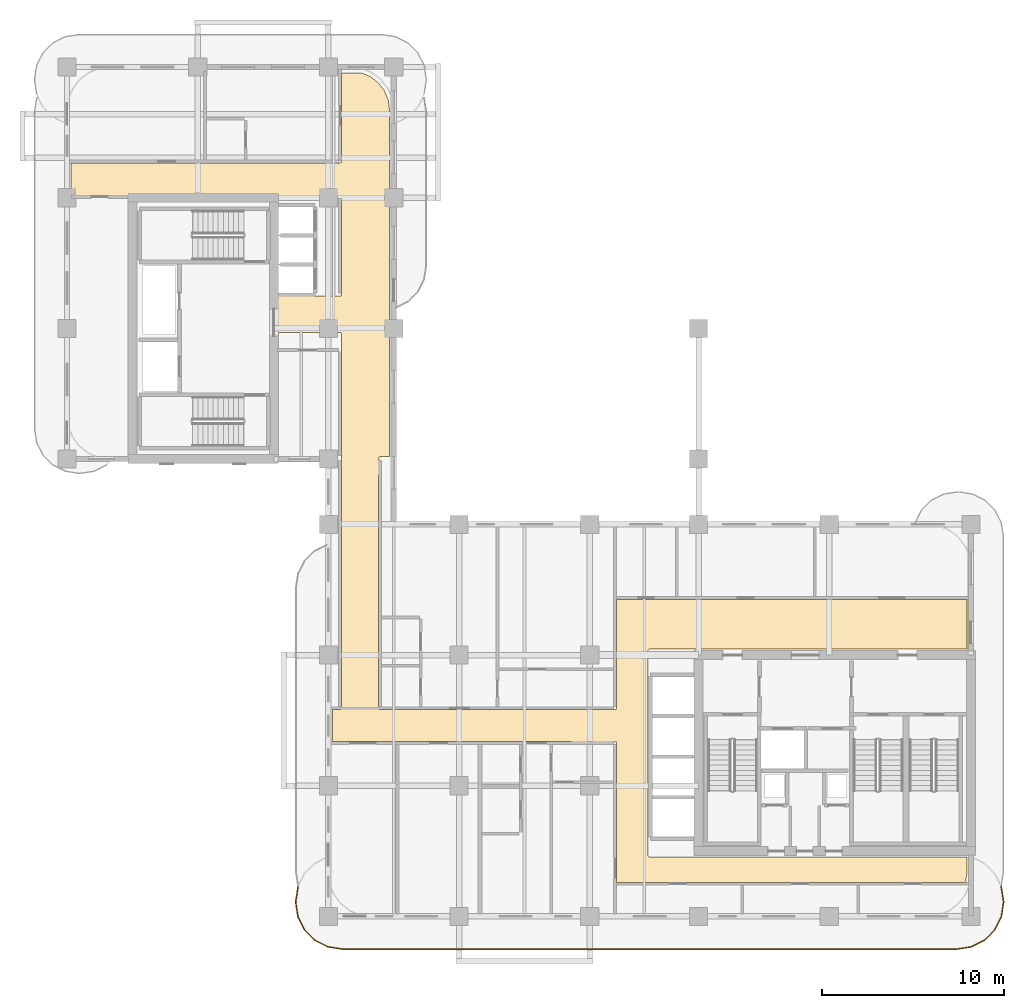
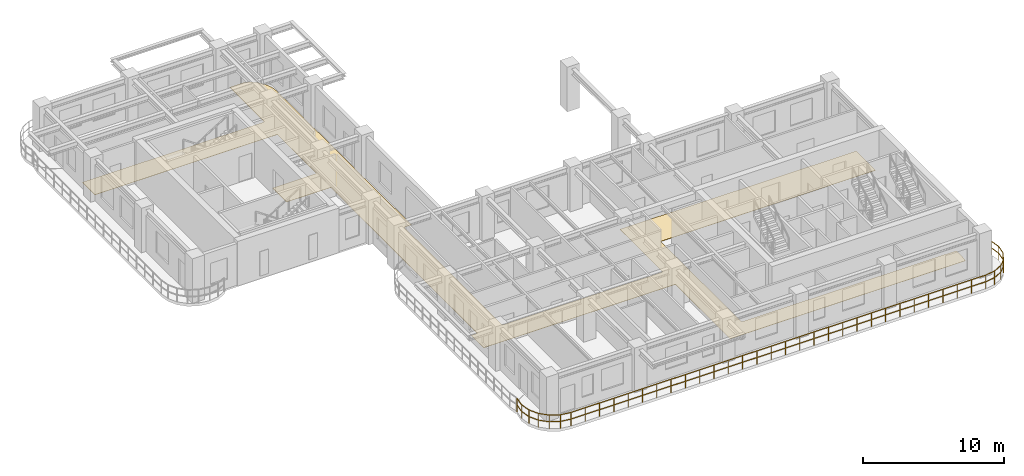
# One storey, part 11 of 14: 1 covering, 1 railing.
"""IFC4 building model written with IfcOpenShell, lengths in metres."""

from ifc_helpers import new_model, si_unit, derived_unit, direction, frame, origin, origin_2d, place, context, subcontext, project, spatial, polyline, rectangle, outline, extrude, material, layer, layer_set, type_object, element, save


model = new_model("IFC4")

# Units and contexts
model_context = context("Model", 3, precision=1e-05, world=origin(), true_north=direction((0.0, 1.0)))
body_context = subcontext(model_context, "Body", "Model", "MODEL_VIEW")
ifc_project = project(units=[si_unit("LENGTHUNIT", "METRE"), si_unit("AREAUNIT", "SQUARE_METRE"), si_unit("VOLUMEUNIT", "CUBIC_METRE"), si_unit("PLANEANGLEUNIT", "RADIAN"), si_unit("MASSUNIT", "GRAM", prefix="KILO"), si_unit("THERMODYNAMICTEMPERATUREUNIT", "KELVIN"), si_unit("POWERUNIT", "WATT"), derived_unit("THERMALTRANSMITTANCEUNIT", [(si_unit("POWERUNIT", "WATT"), 1), (si_unit("AREAUNIT", "SQUARE_METRE"), -1), (si_unit("THERMODYNAMICTEMPERATUREUNIT", "KELVIN"), -1)])], contexts=[model_context])

# Site, building, storey
site_placement = place(None, origin())
site = spatial("IfcSite", under=ifc_project, at=site_placement, CompositionType="ELEMENT")
building_placement = place(site_placement, origin())
building = spatial("IfcBuilding", under=site, at=building_placement, Name="Zahravan Archway Hotel and Residences", CompositionType="ELEMENT")
storey_placement = place(building_placement, frame((0.0, 0.0, 188.800048828125)))
storey = spatial("IfcBuildingStorey", under=building, at=storey_placement, Name="L47", CompositionType="ELEMENT", Elevation=188.800048828125)

# Covering
ifc_material_1 = material(Name="Engineered Walnut Parquet Flooring")
ifc_layer = layer(ifc_material_1, 0.02197265625, Name="Engineered Walnut Parquet Flooring")
ifc_layer_set = layer_set([ifc_layer], Name="Engineered Walnut Parquet Flooring")
covering_type = type_object("IfcCoveringType", Name="COV-FLR-TIMB", PredefinedType="FLOORING", material=ifc_layer_set)
covering_placement = place(storey_placement, origin())
element("IfcCovering", 1, at=covering_placement, inside=storey, type_object=covering_type, Name="L47 Circulation Floor Finish", PredefinedType="FLOORING", context=body_context, shape_type="SweptSolid", body=[
    extrude(outline(polyline([(32.09228515625, 14.7294921875), (32.04931640625, 14.7119140625), (32.0234375, 14.673095703125), (32.02001953125, 3.35009765625), (32.033447265625, 3.3056640625), (32.0693359375, 3.276123046875), (49.580078125, 3.27001953125), (49.580078125, 2.414306640625), (49.509521484375, 1.8798828125), (30.280029296875, 1.8798828125), (30.280029296875, 9.550048828125), (30.2666015625, 9.594482421875), (30.230712890625, 9.623779296875), (14.6201171875, 9.6298828125), (14.6201171875, 11.389892578125), (15.050048828125, 11.389892578125), (15.094482421875, 11.403564453125), (15.123779296875, 11.439453125), (15.1298828125, 32.10009765625), (15.116455078125, 32.144287109375), (15.08056640625, 32.173828125), (11.530029296875, 32.179931640625), (11.530029296875, 34.169921875), (15.050048828125, 34.169921875), (15.094482421875, 34.18359375), (15.123779296875, 34.219482421875), (15.1298828125, 39.64990234375), (15.116455078125, 39.6943359375), (15.08056640625, 39.723876953125), (0.22998046875, 39.72998046875), (0.22998046875, 41.52001953125), (15.050048828125, 41.52001953125), (15.094482421875, 41.533447265625), (15.123779296875, 41.5693359375), (15.1298828125, 46.469970703125), (16.24560546875, 46.469970703125), (16.689208984375, 46.286376953125), (17.14013671875, 45.940185546875), (17.486328125, 45.489013671875), (17.703857421875, 44.9638671875), (17.77001953125, 44.46142578125), (17.77001953125, 25.330078125), (17.25, 25.330078125), (17.20556640625, 25.31640625), (17.176025390625, 25.280517578125), (17.169921875, 11.469970703125), (17.18359375, 11.425537109375), (17.219482421875, 11.39599609375), (30.199951171875, 11.389892578125), (30.244384765625, 11.403564453125), (30.27392578125, 11.439453125), (30.280029296875, 17.469970703125), (49.580078125, 17.469970703125), (49.580078125, 14.72998046875), (32.10009765625, 14.72998046875), (32.09228515625, 14.7294921875)])), origin(), (0.0, 0.0, 1.0), 0.02197265625),
])

# Railing
ifc_material_2 = material(Name="Bronze & Laminated Glass Balustrade", Category="glass")
railing_type = type_object("IfcRailingType", Name="RL-BAL-1200", PredefinedType="BALUSTRADE", material=ifc_material_2)
railing_placement = place(storey_placement, frame((51.47509765625, 1.637939453125, 0.0)))
element("IfcRailing", 2, at=railing_placement, inside=storey, type_object=railing_type, Name="L47 Balustrade RL-SLB-BAL-L47-SA-1", PredefinedType="BALUSTRADE", context=body_context, shape_type="SweptSolid", body=[
    extrude(rectangle(XDim=0.048095703125, YDim=0.048095703125, at=origin_2d()), frame((0.0, 0.0, 1.17578125), z_axis=(0.156701202656, -0.987646056584, 0.0), x_axis=(0.987646056584, 0.156701202656, 0.0)), (0.0, 0.0, 1.0), 0.797607421875),
    extrude(rectangle(XDim=0.048095703125, YDim=0.048095703125, at=origin_2d()), frame((0.0, 0.0, 0.60009765625), z_axis=(0.156701202656, -0.987646056584, 0.0), x_axis=(0.987646056584, 0.156701202656, 0.0)), (0.0, 0.0, 1.0), 0.797607421875),
    extrude(rectangle(XDim=0.048095703125, YDim=0.048095703125, at=origin_2d()), frame((0.125, -0.787841796875, 1.17578125), z_axis=(0.0, -1.0, 0.0), x_axis=(1.0, 0.0, 0.0)), (0.0, 0.0, 1.0), 0.10009765625),
    extrude(rectangle(XDim=0.048095703125, YDim=0.048095703125, at=origin_2d()), frame((0.125, -0.787841796875, 0.60009765625), z_axis=(0.0, -1.0, 0.0), x_axis=(1.0, 0.0, 0.0)), (0.0, 0.0, 1.0), 0.10009765625),
    extrude(rectangle(XDim=0.048095703125, YDim=0.048095703125, at=origin_2d()), frame((0.125, -0.887939453125, 1.17578125), z_axis=(-0.156653849773, -0.98765356849, 0.0), x_axis=(0.98765356849, -0.156653849773, 0.0)), (0.0, 0.0, 1.0), 0.7978515625),
    extrude(rectangle(XDim=0.048095703125, YDim=0.048095703125, at=origin_2d()), frame((0.125, -0.887939453125, 0.60009765625), z_axis=(-0.156653849773, -0.98765356849, 0.0), x_axis=(0.98765356849, -0.156653849773, 0.0)), (0.0, 0.0, 1.0), 0.7978515625),
    extrude(rectangle(XDim=0.048095703125, YDim=0.048095703125, at=origin_2d()), frame((0.0, -1.676025390625, 1.17578125), z_axis=(-0.453934952053, -0.891034824967, 0.0), x_axis=(0.891034824967, -0.453934952053, 0.0)), (0.0, 0.0, 1.0), 0.797607421875),
    extrude(rectangle(XDim=0.048095703125, YDim=0.048095703125, at=origin_2d()), frame((0.0, -1.676025390625, 0.60009765625), z_axis=(-0.453934952053, -0.891034824967, 0.0), x_axis=(0.891034824967, -0.453934952053, 0.0)), (0.0, 0.0, 1.0), 0.797607421875),
    extrude(rectangle(XDim=0.048095703125, YDim=0.048095703125, at=origin_2d()), frame((-0.362060546875, -2.38671875, 1.17578125), z_axis=(-0.707106781187, -0.707106781187, 0.0), x_axis=(0.707106781187, -0.707106781187, 0.0)), (0.0, 0.0, 1.0), 0.7978515625),
    extrude(rectangle(XDim=0.048095703125, YDim=0.048095703125, at=origin_2d()), frame((-0.362060546875, -2.38671875, 0.60009765625), z_axis=(-0.707106781187, -0.707106781187, 0.0), x_axis=(0.707106781187, -0.707106781187, 0.0)), (0.0, 0.0, 1.0), 0.7978515625),
    extrude(rectangle(XDim=0.048095703125, YDim=0.048095703125, at=origin_2d()), frame((-0.92626953125, -2.950927734375, 1.17578125), z_axis=(-0.890974108706, -0.454054113091, 0.0), x_axis=(0.454054113091, -0.890974108706, 0.0)), (0.0, 0.0, 1.0), 0.7978515625),
    extrude(rectangle(XDim=0.048095703125, YDim=0.048095703125, at=origin_2d()), frame((-0.92626953125, -2.950927734375, 0.60009765625), z_axis=(-0.890974108706, -0.454054113091, 0.0), x_axis=(0.454054113091, -0.890974108706, 0.0)), (0.0, 0.0, 1.0), 0.7978515625),
    extrude(rectangle(XDim=0.048095703125, YDim=0.048095703125, at=origin_2d()), frame((-1.63720703125, -3.313232421875, 1.17578125), z_axis=(-0.987693380745, -0.156402639467, 0.0), x_axis=(0.156402639467, -0.987693380745, 0.0)), (0.0, 0.0, 1.0), 0.797607421875),
    extrude(rectangle(XDim=0.048095703125, YDim=0.048095703125, at=origin_2d()), frame((-1.63720703125, -3.313232421875, 0.60009765625), z_axis=(-0.987693380745, -0.156402639467, 0.0), x_axis=(0.156402639467, -0.987693380745, 0.0)), (0.0, 0.0, 1.0), 0.797607421875),
    extrude(rectangle(XDim=0.048095703125, YDim=0.048095703125, at=origin_2d()), frame((-2.425048828125, -3.43798828125, 1.17578125), z_axis=(-1.0, 0.0, 0.0), x_axis=(0.0, -1.0, 0.0)), (0.0, 0.0, 1.0), 33.900146484375),
    extrude(rectangle(XDim=0.048095703125, YDim=0.048095703125, at=origin_2d()), frame((-2.425048828125, -3.43798828125, 0.60009765625), z_axis=(-1.0, 0.0, 0.0), x_axis=(0.0, -1.0, 0.0)), (0.0, 0.0, 1.0), 33.900146484375),
    extrude(rectangle(XDim=0.048095703125, YDim=0.048095703125, at=origin_2d()), frame((-36.3251953125, -3.43798828125, 1.17578125), z_axis=(-0.987693380745, 0.156402639467, 0.0), x_axis=(-0.156402639467, -0.987693380745, 0.0)), (0.0, 0.0, 1.0), 0.797607421875),
    extrude(rectangle(XDim=0.048095703125, YDim=0.048095703125, at=origin_2d()), frame((-36.3251953125, -3.43798828125, 0.60009765625), z_axis=(-0.987693380745, 0.156402639467, 0.0), x_axis=(-0.156402639467, -0.987693380745, 0.0)), (0.0, 0.0, 1.0), 0.797607421875),
    extrude(rectangle(XDim=0.048095703125, YDim=0.048095703125, at=origin_2d()), frame((-37.113037109375, -3.313232421875, 1.17578125), z_axis=(-0.890974108706, 0.454054113091, 0.0), x_axis=(-0.454054113091, -0.890974108706, 0.0)), (0.0, 0.0, 1.0), 0.7978515625),
    extrude(rectangle(XDim=0.048095703125, YDim=0.048095703125, at=origin_2d()), frame((-37.113037109375, -3.313232421875, 0.60009765625), z_axis=(-0.890974108706, 0.454054113091, 0.0), x_axis=(-0.454054113091, -0.890974108706, 0.0)), (0.0, 0.0, 1.0), 0.7978515625),
    extrude(rectangle(XDim=0.048095703125, YDim=0.048095703125, at=origin_2d()), frame((-37.823974609375, -2.950927734375, 1.17578125), z_axis=(-0.707106781187, 0.707106781187, 0.0), x_axis=(-0.707106781187, -0.707106781187, 0.0)), (0.0, 0.0, 1.0), 0.7978515625),
    extrude(rectangle(XDim=0.048095703125, YDim=0.048095703125, at=origin_2d()), frame((-37.823974609375, -2.950927734375, 0.60009765625), z_axis=(-0.707106781187, 0.707106781187, 0.0), x_axis=(-0.707106781187, -0.707106781187, 0.0)), (0.0, 0.0, 1.0), 0.7978515625),
    extrude(rectangle(XDim=0.048095703125, YDim=0.048095703125, at=origin_2d()), frame((-38.38818359375, -2.38671875, 1.17578125), z_axis=(-0.453934952053, 0.891034824967, 0.0), x_axis=(-0.891034824967, -0.453934952053, 0.0)), (0.0, 0.0, 1.0), 0.797607421875),
    extrude(rectangle(XDim=0.048095703125, YDim=0.048095703125, at=origin_2d()), frame((-38.38818359375, -2.38671875, 0.60009765625), z_axis=(-0.453934952053, 0.891034824967, 0.0), x_axis=(-0.891034824967, -0.453934952053, 0.0)), (0.0, 0.0, 1.0), 0.797607421875),
    extrude(rectangle(XDim=0.048095703125, YDim=0.048095703125, at=origin_2d()), frame((-38.750244140625, -1.676025390625, 1.17578125), z_axis=(-0.156355372278, 0.987700864412, 0.0), x_axis=(-0.987700864412, -0.156355372278, 0.0)), (0.0, 0.0, 1.0), 0.7978515625),
    extrude(rectangle(XDim=0.048095703125, YDim=0.048095703125, at=origin_2d()), frame((-38.750244140625, -1.676025390625, 0.60009765625), z_axis=(-0.156355372278, 0.987700864412, 0.0), x_axis=(-0.987700864412, -0.156355372278, 0.0)), (0.0, 0.0, 1.0), 0.7978515625),
    extrude(rectangle(XDim=0.048095703125, YDim=0.048095703125, at=origin_2d()), frame((-38.875, -0.887939453125, 1.17578125), z_axis=(0.0, 1.0, 0.0), x_axis=(-1.0, 0.0, 0.0)), (0.0, 0.0, 1.0), 0.10009765625),
    extrude(rectangle(XDim=0.048095703125, YDim=0.048095703125, at=origin_2d()), frame((-38.875, -0.887939453125, 0.60009765625), z_axis=(0.0, 1.0, 0.0), x_axis=(-1.0, 0.0, 0.0)), (0.0, 0.0, 1.0), 0.10009765625),
    extrude(rectangle(XDim=0.048095703125, YDim=0.048095703125, at=origin_2d()), frame((-38.875, -0.787841796875, 1.17578125), z_axis=(0.156402639467, 0.987693380745, 0.0), x_axis=(-0.987693380745, 0.156402639467, 0.0)), (0.0, 0.0, 1.0), 0.797607421875),
    extrude(rectangle(XDim=0.048095703125, YDim=0.048095703125, at=origin_2d()), frame((-38.875, -0.787841796875, 0.60009765625), z_axis=(0.156402639467, 0.987693380745, 0.0), x_axis=(-0.987693380745, 0.156402639467, 0.0)), (0.0, 0.0, 1.0), 0.797607421875),
    extrude(rectangle(XDim=0.0419921875, YDim=0.0419921875, at=origin_2d()), origin(), (0.0, 0.0, 1.0), 1.15185546875),
    extrude(rectangle(XDim=0.0419921875, YDim=0.0419921875, at=origin_2d()), frame((0.125, -0.787841796875, 0.0)), (0.0, 0.0, 1.0), 1.15185546875),
    extrude(rectangle(XDim=0.0419921875, YDim=0.0419921875, at=origin_2d()), frame((0.0, -1.676025390625, 0.0)), (0.0, 0.0, 1.0), 1.15185546875),
    extrude(rectangle(XDim=0.0419921875, YDim=0.0419921875, at=origin_2d()), frame((-0.362060546875, -2.38671875, 0.0)), (0.0, 0.0, 1.0), 1.15185546875),
    extrude(rectangle(XDim=0.0419921875, YDim=0.0419921875, at=origin_2d()), frame((-0.92626953125, -2.950927734375, 0.0)), (0.0, 0.0, 1.0), 1.15185546875),
    extrude(rectangle(XDim=0.0419921875, YDim=0.0419921875, at=origin_2d()), frame((-1.63720703125, -3.313232421875, 0.0)), (0.0, 0.0, 1.0), 1.15185546875),
    extrude(rectangle(XDim=0.0419921875, YDim=0.0419921875, at=origin_2d()), frame((-2.425048828125, -3.43798828125, 0.0)), (0.0, 0.0, 1.0), 1.15185546875),
    extrude(rectangle(XDim=0.0419921875, YDim=0.0419921875, at=origin_2d()), frame((-3.593994140625, -3.43798828125, 0.0)), (0.0, 0.0, 1.0), 1.15185546875),
    extrude(rectangle(XDim=0.0419921875, YDim=0.0419921875, at=origin_2d()), frame((-4.762939453125, -3.43798828125, 0.0)), (0.0, 0.0, 1.0), 1.15185546875),
    extrude(rectangle(XDim=0.0419921875, YDim=0.0419921875, at=origin_2d()), frame((-5.931884765625, -3.43798828125, 0.0)), (0.0, 0.0, 1.0), 1.15185546875),
    extrude(rectangle(XDim=0.0419921875, YDim=0.0419921875, at=origin_2d()), frame((-7.100830078125, -3.43798828125, 0.0)), (0.0, 0.0, 1.0), 1.15185546875),
    extrude(rectangle(XDim=0.0419921875, YDim=0.0419921875, at=origin_2d()), frame((-8.27001953125, -3.43798828125, 0.0)), (0.0, 0.0, 1.0), 1.15185546875),
    extrude(rectangle(XDim=0.0419921875, YDim=0.0419921875, at=origin_2d()), frame((-9.43896484375, -3.43798828125, 0.0)), (0.0, 0.0, 1.0), 1.15185546875),
    extrude(rectangle(XDim=0.0419921875, YDim=0.0419921875, at=origin_2d()), frame((-10.60791015625, -3.43798828125, 0.0)), (0.0, 0.0, 1.0), 1.15185546875),
    extrude(rectangle(XDim=0.0419921875, YDim=0.0419921875, at=origin_2d()), frame((-11.77685546875, -3.43798828125, 0.0)), (0.0, 0.0, 1.0), 1.15185546875),
    extrude(rectangle(XDim=0.0419921875, YDim=0.0419921875, at=origin_2d()), frame((-12.94580078125, -3.43798828125, 0.0)), (0.0, 0.0, 1.0), 1.15185546875),
    extrude(rectangle(XDim=0.0419921875, YDim=0.0419921875, at=origin_2d()), frame((-14.11474609375, -3.43798828125, 0.0)), (0.0, 0.0, 1.0), 1.15185546875),
    extrude(rectangle(XDim=0.0419921875, YDim=0.0419921875, at=origin_2d()), frame((-15.28369140625, -3.43798828125, 0.0)), (0.0, 0.0, 1.0), 1.15185546875),
    extrude(rectangle(XDim=0.0419921875, YDim=0.0419921875, at=origin_2d()), frame((-16.45263671875, -3.43798828125, 0.0)), (0.0, 0.0, 1.0), 1.15185546875),
    extrude(rectangle(XDim=0.0419921875, YDim=0.0419921875, at=origin_2d()), frame((-17.62158203125, -3.43798828125, 0.0)), (0.0, 0.0, 1.0), 1.15185546875),
    extrude(rectangle(XDim=0.0419921875, YDim=0.0419921875, at=origin_2d()), frame((-18.79052734375, -3.43798828125, 0.0)), (0.0, 0.0, 1.0), 1.15185546875),
    extrude(rectangle(XDim=0.0419921875, YDim=0.0419921875, at=origin_2d()), frame((-19.959716796875, -3.43798828125, 0.0)), (0.0, 0.0, 1.0), 1.15185546875),
    extrude(rectangle(XDim=0.0419921875, YDim=0.0419921875, at=origin_2d()), frame((-21.128662109375, -3.43798828125, 0.0)), (0.0, 0.0, 1.0), 1.15185546875),
    extrude(rectangle(XDim=0.0419921875, YDim=0.0419921875, at=origin_2d()), frame((-22.297607421875, -3.43798828125, 0.0)), (0.0, 0.0, 1.0), 1.15185546875),
    extrude(rectangle(XDim=0.0419921875, YDim=0.0419921875, at=origin_2d()), frame((-23.466552734375, -3.43798828125, 0.0)), (0.0, 0.0, 1.0), 1.15185546875),
    extrude(rectangle(XDim=0.0419921875, YDim=0.0419921875, at=origin_2d()), frame((-24.635498046875, -3.43798828125, 0.0)), (0.0, 0.0, 1.0), 1.15185546875),
    extrude(rectangle(XDim=0.0419921875, YDim=0.0419921875, at=origin_2d()), frame((-25.804443359375, -3.43798828125, 0.0)), (0.0, 0.0, 1.0), 1.15185546875),
    extrude(rectangle(XDim=0.0419921875, YDim=0.0419921875, at=origin_2d()), frame((-26.973388671875, -3.43798828125, 0.0)), (0.0, 0.0, 1.0), 1.15185546875),
    extrude(rectangle(XDim=0.0419921875, YDim=0.0419921875, at=origin_2d()), frame((-28.142333984375, -3.43798828125, 0.0)), (0.0, 0.0, 1.0), 1.15185546875),
    extrude(rectangle(XDim=0.0419921875, YDim=0.0419921875, at=origin_2d()), frame((-29.311279296875, -3.43798828125, 0.0)), (0.0, 0.0, 1.0), 1.15185546875),
    extrude(rectangle(XDim=0.0419921875, YDim=0.0419921875, at=origin_2d()), frame((-30.480224609375, -3.43798828125, 0.0)), (0.0, 0.0, 1.0), 1.15185546875),
    extrude(rectangle(XDim=0.0419921875, YDim=0.0419921875, at=origin_2d()), frame((-31.6494140625, -3.43798828125, 0.0)), (0.0, 0.0, 1.0), 1.15185546875),
    extrude(rectangle(XDim=0.0419921875, YDim=0.0419921875, at=origin_2d()), frame((-32.818359375, -3.43798828125, 0.0)), (0.0, 0.0, 1.0), 1.15185546875),
    extrude(rectangle(XDim=0.0419921875, YDim=0.0419921875, at=origin_2d()), frame((-33.9873046875, -3.43798828125, 0.0)), (0.0, 0.0, 1.0), 1.15185546875),
    extrude(rectangle(XDim=0.0419921875, YDim=0.0419921875, at=origin_2d()), frame((-35.15625, -3.43798828125, 0.0)), (0.0, 0.0, 1.0), 1.15185546875),
    extrude(rectangle(XDim=0.0419921875, YDim=0.0419921875, at=origin_2d()), frame((-36.3251953125, -3.43798828125, 0.0)), (0.0, 0.0, 1.0), 1.15185546875),
    extrude(rectangle(XDim=0.0419921875, YDim=0.0419921875, at=origin_2d()), frame((-37.113037109375, -3.313232421875, 0.0)), (0.0, 0.0, 1.0), 1.15185546875),
    extrude(rectangle(XDim=0.0419921875, YDim=0.0419921875, at=origin_2d()), frame((-37.823974609375, -2.950927734375, 0.0)), (0.0, 0.0, 1.0), 1.15185546875),
    extrude(rectangle(XDim=0.0419921875, YDim=0.0419921875, at=origin_2d()), frame((-38.38818359375, -2.38671875, 0.0)), (0.0, 0.0, 1.0), 1.15185546875),
    extrude(rectangle(XDim=0.0419921875, YDim=0.0419921875, at=origin_2d()), frame((-38.750244140625, -1.676025390625, 0.0)), (0.0, 0.0, 1.0), 1.15185546875),
    extrude(rectangle(XDim=0.0419921875, YDim=0.0419921875, at=origin_2d()), frame((-38.875, -0.887939453125, 0.0)), (0.0, 0.0, 1.0), 1.15185546875),
    extrude(rectangle(XDim=0.0419921875, YDim=0.0419921875, at=origin_2d()), frame((-38.750244140625, 0.0, 0.0)), (0.0, 0.0, 1.0), 1.15185546875),
])

save(model, "model.ifc")
